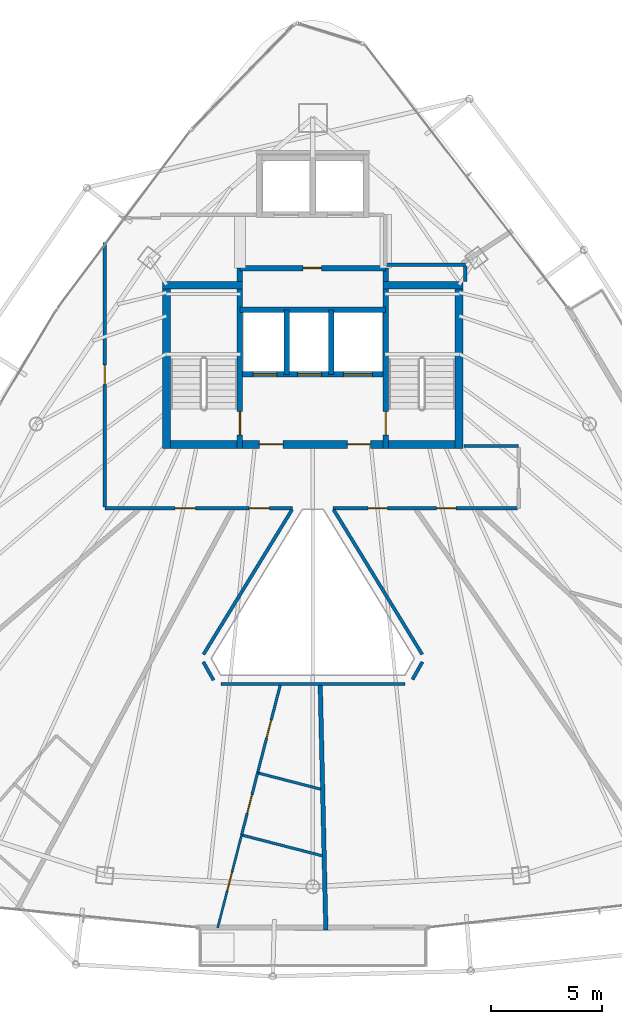
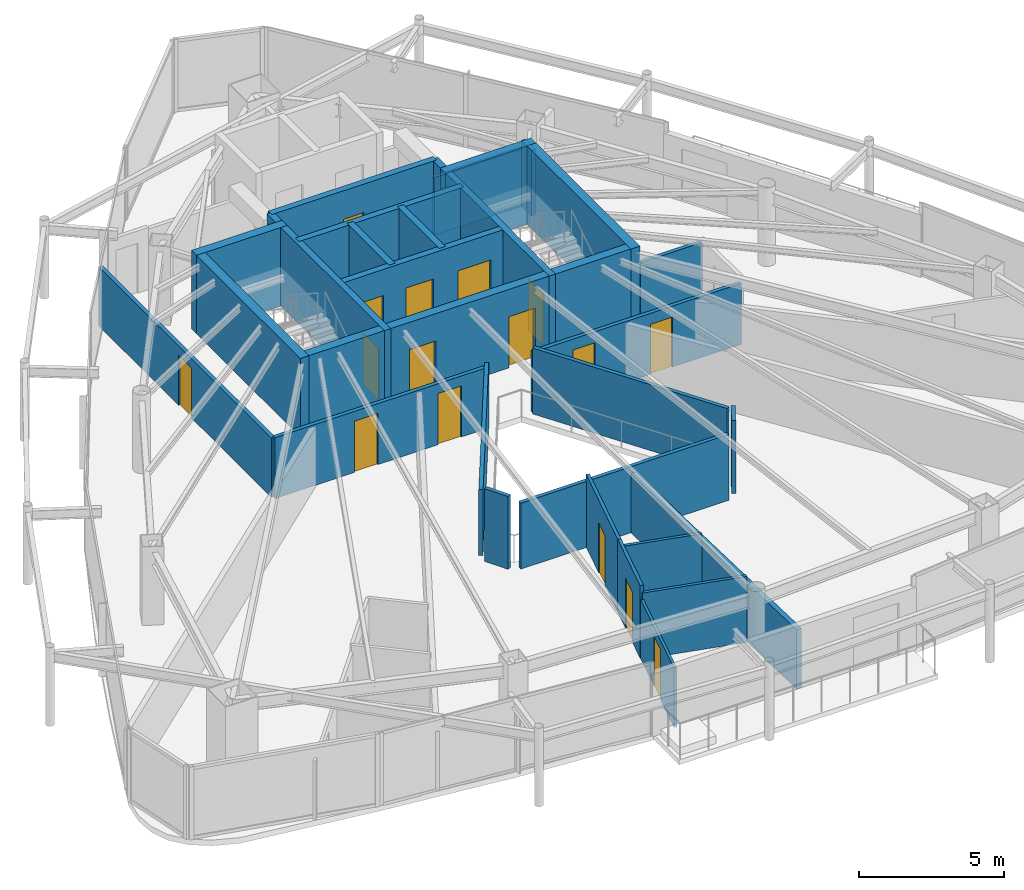
# One storey, part 26 of 30: 29 walls, 16 doors, 16 openings.
"""IFC4 building model written with IfcOpenShell, lengths in metres."""

import ifcopenshell
import ifcopenshell.guid

model = None  # the IFC model being written
_history = None  # IfcOwnerHistory: only IFC2X3 demands one
_inside = {}  # id of a spatial element -> (the spatial element, [elements in it])
_under = {}  # id of a project, library or spatial element -> (it, [spatial elements below it])
_declared = {}  # id of a project -> (the project, [libraries it declares])
_typed = {}  # id of a type object -> (the type object, [elements of that type])
_made_of = {}  # id of a material, layer set ... -> (it, [elements and type objects made of it])


def new_model(schema):
    """Start an empty IFC model of exactly this schema.

    Asked for "IFC4X3", IfcOpenShell would pick the latest addendum, in which some entities
    have other attributes; the version numbers below select the first issue.
    IFC2X3 requires an IfcOwnerHistory on every rooted entity: one is made here for all.
    """
    global model, _history
    if schema == "IFC4X3":
        model = ifcopenshell.file(schema_version=(4, 3, 0, 0))
    else:
        model = ifcopenshell.file(schema=schema)
    _inside.clear()
    _under.clear()
    _declared.clear()
    _typed.clear()
    _made_of.clear()
    _history = None
    if model.schema == "IFC2X3":
        org = make("IfcOrganization", Name="unknown")
        user = make(
            "IfcPersonAndOrganization",
            ThePerson=make("IfcPerson", FamilyName="unknown"),
            TheOrganization=org,
        )
        app = make(
            "IfcApplication",
            ApplicationDeveloper=org,
            Version="unknown",
            ApplicationFullName="unknown",
            ApplicationIdentifier="unknown",
        )
        _history = make(
            "IfcOwnerHistory",
            OwningUser=user,
            OwningApplication=app,
            ChangeAction="ADDED",
            CreationDate=0,
        )
    return model


def make(cls, **values):
    """One entity of the class cls with the attributes given. An attribute that is None is left unset."""
    return model.create_entity(
        cls, **{name: value for name, value in values.items() if value is not None}
    )


def rooted(cls, **values):
    """An entity with a GlobalId (a new one), such as an element, a storey or a relation."""
    return make(cls, GlobalId=ifcopenshell.guid.new(), OwnerHistory=_history, **values)


def si_unit(unit_type, name, prefix=None):
    """IfcSIUnit, for example si_unit("LENGTHUNIT", "METRE", prefix="MILLI")."""
    return make("IfcSIUnit", UnitType=unit_type, Prefix=prefix, Name=name)


def assignment(units):
    """IfcUnitAssignment: the units of a project."""
    return None if units is None else make("IfcUnitAssignment", Units=units)


def point(xyz):
    """IfcCartesianPoint."""
    return None if xyz is None else make("IfcCartesianPoint", Coordinates=xyz)


def direction(xyz):
    """IfcDirection."""
    return None if xyz is None else make("IfcDirection", DirectionRatios=xyz)


def frame(location, z_axis=None, x_axis=None):
    """IfcAxis2Placement3D, a coordinate frame: its origin and axes. An axis left out is left unset."""
    return make(
        "IfcAxis2Placement3D",
        Location=point(location),
        Axis=direction(z_axis),
        RefDirection=direction(x_axis),
    )


def frame_2d(location, x_axis=None):
    """IfcAxis2Placement2D, a coordinate frame in the plane: its origin and x axis."""
    return make(
        "IfcAxis2Placement2D", Location=point(location), RefDirection=direction(x_axis)
    )


def origin():
    """The frame at (0, 0, 0) with its axes left unset."""
    return frame((0.0, 0.0, 0.0))


def place(relative_to, where):
    """IfcLocalPlacement: puts the frame where relative to a parent placement (None: the world)."""
    return make(
        "IfcLocalPlacement", PlacementRelTo=relative_to, RelativePlacement=where
    )


def context(
    kind, dimensions, precision=None, world=None, true_north=None, identifier=None
):
    """IfcGeometricRepresentationContext, for example the 3D "Model" context."""
    return make(
        "IfcGeometricRepresentationContext",
        ContextIdentifier=identifier,
        ContextType=kind,
        CoordinateSpaceDimension=dimensions,
        Precision=precision,
        WorldCoordinateSystem=world,
        TrueNorth=true_north,
    )


def subcontext(parent, identifier, kind, view, scale=None):
    """IfcGeometricRepresentationSubContext, for example "Body" below "Model"."""
    return make(
        "IfcGeometricRepresentationSubContext",
        ContextIdentifier=identifier,
        ContextType=kind,
        ParentContext=parent,
        TargetScale=scale,
        TargetView=view,
    )


def project(units=None, contexts=None):
    """IfcProject with its units and contexts."""
    return rooted(
        "IfcProject",
        Name="project",
        RepresentationContexts=contexts,
        UnitsInContext=assignment(units),
    )


def spatial(cls, under=None, at=None, **own):
    """A site, building, storey or space (cls), placed at a placement, below another one or the project."""
    s = rooted(cls, ObjectPlacement=at, **own)
    if under is not None:
        _under.setdefault(under.id(), (under, []))[1].append(s)
    return s


def profile(cls, at=None, kind="AREA", **sizes):
    """A parametric profile (cls). Its sizes go by their IFC names, for example OverallWidth=200.0."""
    return make(cls, ProfileType=kind, Position=at, **sizes)


def rectangle(**sizes):
    """IfcRectangleProfileDef."""
    return profile("IfcRectangleProfileDef", **sizes)


def extrude(swept, where, along, depth):
    """IfcExtrudedAreaSolid: the profile swept, set in the frame where, extruded along a direction by depth."""
    return make(
        "IfcExtrudedAreaSolid",
        SweptArea=swept,
        Position=where,
        ExtrudedDirection=direction(along),
        Depth=depth,
    )


def shape(context_of_items, identifier, shape_type, items):
    """IfcShapeRepresentation: the items that make up one representation, for example the "Body"."""
    return make(
        "IfcShapeRepresentation",
        ContextOfItems=context_of_items,
        RepresentationIdentifier=identifier,
        RepresentationType=shape_type,
        Items=items,
    )


def material(Name=None, Category=None):
    """IfcMaterial."""
    return make("IfcMaterial", Name=Name, Category=Category)


def layer(
    of_material, thickness, ventilated=None, Name=None, Category=None, Priority=None
):
    """IfcMaterialLayer: one layer of a wall or slab, of a material (None: an air gap)."""
    return make(
        "IfcMaterialLayer",
        Material=of_material,
        LayerThickness=thickness,
        IsVentilated=ventilated,
        Name=Name,
        Category=Category,
        Priority=Priority,
    )


def layer_set(layers, Name=None):
    """IfcMaterialLayerSet."""
    return make("IfcMaterialLayerSet", MaterialLayers=layers, LayerSetName=Name)


def made_of(thing, what):
    """Note that an element or type object is made of a material, layer set ...; save() writes the relation."""
    if what is not None:
        _made_of.setdefault(what.id(), (what, []))[1].append(thing)
    return thing


def type_object(cls, material=None, **own):
    """A type object (cls), such as IfcWallType, which elements share."""
    return made_of(rooted(cls, **own), material)


def element(
    cls,
    number,
    at=None,
    inside=None,
    cuts=None,
    type_object=None,
    material=None,
    context=None,
    identifier="Body",
    shape_type=None,
    held_by="IfcProductDefinitionShape",
    body=None,
    shapes=None,
    **own,
):
    """One element of the class cls, such as IfcWall. Its Tag is "e" and its number.

    at: its placement. inside: the storey or other place that contains it. cuts: it is an
    opening in that element (IfcRelVoidsElement). A single representation is given by context,
    identifier, shape_type and body (its items); several are given by shapes. held_by: the class
    of the entity that holds the representations. save() writes the other relations.
    """
    e = rooted(cls, Tag="e%d" % number, ObjectPlacement=at, **own)
    if body is not None:
        shapes = [shape(context, identifier, shape_type, body)]
    if shapes is not None:
        e.Representation = make(held_by, Representations=shapes)
    if inside is not None:
        _inside.setdefault(inside.id(), (inside, []))[1].append(e)
    if cuts is not None:
        rooted(
            "IfcRelVoidsElement", RelatingBuildingElement=cuts, RelatedOpeningElement=e
        )
    if type_object is not None:
        _typed.setdefault(type_object.id(), (type_object, []))[1].append(e)
    return made_of(e, material)


def fill(opening, filler):
    """IfcRelFillsElement: the door or window that sits in an opening."""
    return rooted(
        "IfcRelFillsElement",
        RelatingOpeningElement=opening,
        RelatedBuildingElement=filler,
    )


def aggregate(whole, parts):
    """IfcRelAggregates: a whole, such as a stair, and the parts it consists of."""
    return rooted("IfcRelAggregates", RelatingObject=whole, RelatedObjects=parts)


def save(model, path):
    """Write the relations noted so far, then the file.

    IfcRelAggregates (storeys below a building ...), IfcRelContainedInSpatialStructure (elements
    in a storey), IfcRelDefinesByType, IfcRelAssociatesMaterial and IfcRelDeclares: one each for
    every whole, place, type object, material and project.
    """
    for whole, parts in _under.values():
        aggregate(whole, parts)
    for where, things in _inside.values():
        rooted(
            "IfcRelContainedInSpatialStructure",
            RelatedElements=things,
            RelatingStructure=where,
        )
    for kind, things in _typed.values():
        rooted("IfcRelDefinesByType", RelatedObjects=things, RelatingType=kind)
    for what, things in _made_of.values():
        rooted("IfcRelAssociatesMaterial", RelatedObjects=things, RelatingMaterial=what)
    for by, libraries in _declared.values():
        rooted("IfcRelDeclares", RelatingContext=by, RelatedDefinitions=libraries)
    model.write(path)


model = new_model("IFC4")

# Units and contexts
model_context = context("Model", 3, precision=1e-05, world=origin(), true_north=direction((0.0, 1.0)))
body_context = subcontext(model_context, "Body", "Model", "MODEL_VIEW")
ifc_project = project(units=[si_unit("LENGTHUNIT", "METRE"), si_unit("AREAUNIT", "SQUARE_METRE"), si_unit("VOLUMEUNIT", "CUBIC_METRE"), si_unit("PLANEANGLEUNIT", "RADIAN"), si_unit("MASSUNIT", "GRAM", prefix="KILO")], contexts=[model_context])

# Site, building, storey
site_placement = place(None, origin())
site = spatial("IfcSite", under=ifc_project, at=site_placement, CompositionType="ELEMENT")
building_placement = place(site_placement, origin())
building = spatial("IfcBuilding", under=site, at=building_placement, Name="Orvanel Arch Residences", CompositionType="ELEMENT")
storey_placement = place(building_placement, frame((0.0, 0.0, 226.10009765625)))
storey = spatial("IfcBuildingStorey", under=building, at=storey_placement, Name="L64", CompositionType="ELEMENT", Elevation=226.10009765625)

# Wall, opening, door
ifc_material_1 = material(Name="Concrete N50 (50 MPa)", Category="concrete")
ifc_layer_1 = layer(ifc_material_1, 0.25)
ifc_layer_set_1 = layer_set([ifc_layer_1], Name="Concrete N50 (50 MPa)")
wall_type_1 = type_object("IfcWallType", Name="SW-CORE-250", PredefinedType="SHEAR", material=ifc_layer_set_1)
wall_1_placement = place(storey_placement, frame((29.72509765625, 26.550048828125, 0.0), z_axis=(0.0, 0.0, 1.0), x_axis=(0.0, 1.0, 0.0)))
wall_1 = element("IfcWall", 1, at=wall_1_placement, inside=storey, type_object=wall_type_1, Name="L64 West Inner Core Spine Shear Wall", PredefinedType="SHEAR", context=body_context, shape_type="SweptSolid", body=[
    extrude(rectangle(XDim=8.099853515625, YDim=0.25, at=frame_2d((4.0498046875, 0.0))), origin(), (0.0, 0.0, 1.0), 3.2998046875),
])
opening_1_placement = place(wall_1_placement, frame((0.60009765625, 0.0, 0.0)))
opening_1 = element("IfcOpeningElement", 2, at=opening_1_placement, cuts=wall_1, Name="Opening DF-120", PredefinedType="OPENING", context=body_context, shape_type="SweptSolid", body=[
    extrude(rectangle(XDim=1.050048828125, YDim=2.14990234375, at=frame_2d((0.52490234375, 1.074951171875))), frame((0.0, 0.135009765625, 0.0), z_axis=(0.0, -1.0, 0.0), x_axis=(1.0, 0.0, 0.0)), (0.0, 0.0, 1.0), 0.27001953125),
])
ifc_material_2 = material(Name="Galvanised steel fire-resisting door assembly", Category="steel")
door_type_1 = type_object("IfcDoorType", Name="DR-FD120-1050", OperationType="NOTDEFINED", PredefinedType="DOOR", material=ifc_material_2)
door_1_placement = place(opening_1_placement, origin())
door_1 = element("IfcDoor", 3, at=door_1_placement, inside=storey, type_object=door_type_1, Name="DR-L64-ST1 L64 Stair 1 Fire Door", OperationType="SINGLE_SWING_LEFT", OverallHeight=2.14990234375, OverallWidth=1.050048828125, PredefinedType="DOOR", context=body_context, shape_type="SweptSolid", body=[
    extrude(rectangle(XDim=1.050048828125, YDim=2.14990234375, at=frame_2d((0.52490234375, 1.074951171875))), frame((0.0, 0.02490234375, 0.0), z_axis=(0.0, -1.0, 0.0), x_axis=(1.0, 0.0, 0.0)), (0.0, 0.0, 1.0), 0.050048828125),
])
fill(opening_1, door_1)

wall_2_placement = place(storey_placement, frame((36.27490234375, 26.550048828125, 0.0), z_axis=(0.0, 0.0, 1.0), x_axis=(0.0, 1.0, 0.0)))
wall_2 = element("IfcWall", 4, at=wall_2_placement, inside=storey, type_object=wall_type_1, Name="L64 East Inner Core Spine Shear Wall", PredefinedType="SHEAR", context=body_context, shape_type="SweptSolid", body=[
    extrude(rectangle(XDim=8.099853515625, YDim=0.25, at=frame_2d((4.0498046875, 0.0))), origin(), (0.0, 0.0, 1.0), 3.2998046875),
])
opening_2_placement = place(wall_2_placement, frame((0.60009765625, 0.0, 0.0)))
opening_2 = element("IfcOpeningElement", 5, at=opening_2_placement, cuts=wall_2, Name="Opening DF-120", PredefinedType="OPENING", context=body_context, shape_type="SweptSolid", body=[
    extrude(rectangle(XDim=1.050048828125, YDim=2.14990234375, at=frame_2d((0.52490234375, 1.074951171875))), frame((0.0, 0.135009765625, 0.0), z_axis=(0.0, -1.0, 0.0), x_axis=(1.0, 0.0, 0.0)), (0.0, 0.0, 1.0), 0.27001953125),
])
door_2_placement = place(opening_2_placement, origin())
door_2 = element("IfcDoor", 6, at=door_2_placement, inside=storey, type_object=door_type_1, Name="DR-L64-ST2 L64 Stair 2 Fire Door", OperationType="SINGLE_SWING_RIGHT", OverallHeight=2.14990234375, OverallWidth=1.050048828125, PredefinedType="DOOR", context=body_context, shape_type="SweptSolid", body=[
    extrude(rectangle(XDim=1.050048828125, YDim=2.14990234375, at=frame_2d((0.52490234375, 1.074951171875))), frame((0.0, 0.02490234375, 0.0), z_axis=(0.0, -1.0, 0.0), x_axis=(1.0, 0.0, 0.0)), (0.0, 0.0, 1.0), 0.050048828125),
])
fill(opening_2, door_2)

# Wall, openings, doors
wall_3_placement = place(storey_placement, frame((36.27490234375, 29.875, 0.0), z_axis=(0.0, 0.0, 1.0), x_axis=(-1.0, 0.0, 0.0)))
wall_3 = element("IfcWall", 7, at=wall_3_placement, inside=storey, type_object=wall_type_1, Name="L64 Emergency Lift Front Core Shear Wall", PredefinedType="SHEAR", context=body_context, shape_type="SweptSolid", body=[
    extrude(rectangle(XDim=6.5498046875, YDim=0.25, at=frame_2d((3.27490234375, 0.0))), origin(), (0.0, 0.0, 1.0), 3.2998046875),
])
opening_3_placement = place(wall_3_placement, frame((4.875, 0.0, 0.0)))
opening_3 = element("IfcOpeningElement", 8, at=opening_3_placement, cuts=wall_3, Name="Opening LD-110", PredefinedType="OPENING", context=body_context, shape_type="SweptSolid", body=[
    extrude(rectangle(XDim=1.10009765625, YDim=2.199951171875, at=frame_2d((0.550048828125, 1.10009765625))), frame((0.0, 0.135009765625, 0.0), z_axis=(0.0, -1.0, 0.0), x_axis=(1.0, 0.0, 0.0)), (0.0, 0.0, 1.0), 0.27001953125),
])
opening_4_placement = place(wall_3_placement, frame((2.875, 0.0, 0.0)))
opening_4 = element("IfcOpeningElement", 9, at=opening_4_placement, cuts=wall_3, Name="Opening LD-110", PredefinedType="OPENING", context=body_context, shape_type="SweptSolid", body=[
    extrude(rectangle(XDim=1.10009765625, YDim=2.199951171875, at=frame_2d((0.550048828125, 1.10009765625))), frame((0.0, 0.135009765625, 0.0), z_axis=(0.0, -1.0, 0.0), x_axis=(1.0, 0.0, 0.0)), (0.0, 0.0, 1.0), 0.27001953125),
])
opening_5_placement = place(wall_3_placement, frame((0.60009765625, 0.0, 0.0)))
opening_5 = element("IfcOpeningElement", 10, at=opening_5_placement, cuts=wall_3, Name="Opening LD-130", PredefinedType="OPENING", context=body_context, shape_type="SweptSolid", body=[
    extrude(rectangle(XDim=1.300048828125, YDim=2.199951171875, at=frame_2d((0.64990234375, 1.10009765625))), frame((0.0, 0.135009765625, 0.0), z_axis=(0.0, -1.0, 0.0), x_axis=(1.0, 0.0, 0.0)), (0.0, 0.0, 1.0), 0.27001953125),
])
door_type_2 = type_object("IfcDoorType", Name="DR-LFT-1100", OperationType="NOTDEFINED", PredefinedType="DOOR", material=ifc_material_2)
door_3_placement = place(opening_3_placement, origin())
door_3 = element("IfcDoor", 11, at=door_3_placement, inside=storey, type_object=door_type_2, Name="LD-F1-L64 L64 Lift F1 Sliding Landing Door", OperationType="DOUBLE_DOOR_SLIDING", OverallHeight=2.199951171875, OverallWidth=1.10009765625, PredefinedType="DOOR", context=body_context, shape_type="SweptSolid", body=[
    extrude(rectangle(XDim=1.10009765625, YDim=2.199951171875, at=frame_2d((0.550048828125, 1.10009765625))), frame((0.0, 0.02490234375, 0.0), z_axis=(0.0, -1.0, 0.0), x_axis=(1.0, 0.0, 0.0)), (0.0, 0.0, 1.0), 0.050048828125),
])
fill(opening_3, door_3)
door_4_placement = place(opening_4_placement, origin())
door_4 = element("IfcDoor", 12, at=door_4_placement, inside=storey, type_object=door_type_2, Name="LD-F2-L64 L64 Lift F2 Sliding Landing Door", OperationType="DOUBLE_DOOR_SLIDING", OverallHeight=2.199951171875, OverallWidth=1.10009765625, PredefinedType="DOOR", context=body_context, shape_type="SweptSolid", body=[
    extrude(rectangle(XDim=1.10009765625, YDim=2.199951171875, at=frame_2d((0.550048828125, 1.10009765625))), frame((0.0, 0.02490234375, 0.0), z_axis=(0.0, -1.0, 0.0), x_axis=(1.0, 0.0, 0.0)), (0.0, 0.0, 1.0), 0.050048828125),
])
fill(opening_4, door_4)
door_type_3 = type_object("IfcDoorType", Name="DR-LFT-1300", OperationType="NOTDEFINED", PredefinedType="DOOR", material=ifc_material_2)
door_5_placement = place(opening_5_placement, origin())
door_5 = element("IfcDoor", 13, at=door_5_placement, inside=storey, type_object=door_type_3, Name="LD-G1-L64 L64 Lift G1 Sliding Landing Door", OperationType="DOUBLE_DOOR_SLIDING", OverallHeight=2.199951171875, OverallWidth=1.300048828125, PredefinedType="DOOR", context=body_context, shape_type="SweptSolid", body=[
    extrude(rectangle(XDim=1.300048828125, YDim=2.199951171875, at=frame_2d((0.64990234375, 1.10009765625))), frame((0.0, 0.02490234375, 0.0), z_axis=(0.0, -1.0, 0.0), x_axis=(1.0, 0.0, 0.0)), (0.0, 0.0, 1.0), 0.050048828125),
])
fill(opening_5, door_5)

# Walls
wall_4_placement = place(storey_placement, frame((29.72509765625, 32.77490234375, 0.0), z_axis=(0.0, 0.0, 1.0), x_axis=(1.0, 0.0, 0.0)))
element("IfcWall", 14, at=wall_4_placement, inside=storey, type_object=wall_type_1, Name="L64 Emergency Lift Back Core Shear Wall", PredefinedType="SHEAR", context=body_context, shape_type="SweptSolid", body=[
    extrude(rectangle(XDim=6.5498046875, YDim=0.25, at=frame_2d((3.27490234375, 0.0))), origin(), (0.0, 0.0, 1.0), 3.2998046875),
])
for number, where, z_axis, x_axis, name in (
    (15, (31.824951171875, 29.875, 0.0), (0.0, 0.0, 1.0), (0.0, 1.0, 0.0), "L64 Emergency Lift Inter-Shaft Wall F12"),
    (16, (33.824951171875, 29.875, 0.0), (0.0, 0.0, 1.0), (0.0, 1.0, 0.0), "L64 Emergency Lift Inter-Shaft Wall F2G"),
):
    element("IfcWall", number, at=place(storey_placement, frame(where, z_axis=z_axis, x_axis=x_axis)), inside=storey, type_object=wall_type_1, Name=name, PredefinedType="SHEAR", context=body_context, shape_type="SweptSolid", body=[
        extrude(rectangle(XDim=2.89990234375, YDim=0.25, at=frame_2d((1.449951171875, 0.0))), origin(), (0.0, 0.0, 1.0), 3.2998046875),
    ])

# Wall, opening, door
wall_5_placement = place(storey_placement, frame((29.72509765625, 34.64990234375, 0.0), z_axis=(0.0, 0.0, 1.0), x_axis=(1.0, 0.0, 0.0)))
wall_5 = element("IfcWall", 17, at=wall_5_placement, inside=storey, type_object=wall_type_1, Name="L64 Core Service Band North Shear Wall", PredefinedType="SHEAR", context=body_context, shape_type="SweptSolid", body=[
    extrude(rectangle(XDim=6.5498046875, YDim=0.25, at=frame_2d((3.27490234375, 0.0))), origin(), (0.0, 0.0, 1.0), 3.2998046875),
])
opening_6_placement = place(wall_5_placement, frame((2.840087890625, 0.0, 0.0)))
opening_6 = element("IfcOpeningElement", 18, at=opening_6_placement, cuts=wall_5, Name="Opening DS-082", PredefinedType="OPENING", context=body_context, shape_type="SweptSolid", body=[
    extrude(rectangle(XDim=0.820068359375, YDim=2.10009765625, at=frame_2d((0.41015625, 1.050048828125))), frame((0.0, 0.135009765625, 0.0), z_axis=(0.0, -1.0, 0.0), x_axis=(1.0, 0.0, 0.0)), (0.0, 0.0, 1.0), 0.27001953125),
])
door_type_4 = type_object("IfcDoorType", Name="DR-SVC-820", OperationType="NOTDEFINED", PredefinedType="DOOR", material=ifc_material_2)
door_6_placement = place(opening_6_placement, origin())
door_6 = element("IfcDoor", 19, at=door_6_placement, inside=storey, type_object=door_type_4, Name="DR-L64-CSVC-1 L64 Housekeeping Linen Store Door", OperationType="SINGLE_SWING_LEFT", OverallHeight=2.10009765625, OverallWidth=0.820068359375, PredefinedType="DOOR", context=body_context, shape_type="SweptSolid", body=[
    extrude(rectangle(XDim=0.820068359375, YDim=2.10009765625, at=frame_2d((0.41015625, 1.050048828125))), frame((0.0, 0.02490234375, 0.0), z_axis=(0.0, -1.0, 0.0), x_axis=(1.0, 0.0, 0.0)), (0.0, 0.0, 1.0), 0.050048828125),
])
fill(opening_6, door_6)

# Wall, openings, doors
ifc_layer_2 = layer(ifc_material_1, 0.35009765625)
ifc_layer_set_2 = layer_set([ifc_layer_2], Name="Concrete N50 (50 MPa)")
wall_type_2 = type_object("IfcWallType", Name="SW-CORE-350", PredefinedType="SHEAR", material=ifc_layer_set_2)
wall_6_placement = place(storey_placement, frame((26.25, 26.72509765625, 0.0), z_axis=(0.0, 0.0, 1.0), x_axis=(1.0, 0.0, 0.0)))
wall_6 = element("IfcWall", 20, at=wall_6_placement, inside=storey, type_object=wall_type_2, Name="L64 South Core Shear Wall", PredefinedType="SHEAR", context=body_context, shape_type="SweptSolid", body=[
    extrude(rectangle(XDim=13.5, YDim=0.35009765625, at=frame_2d((6.75, 0.0))), origin(), (0.0, 0.0, 1.0), 3.2998046875),
])
opening_7_placement = place(wall_6_placement, frame((4.35009765625, 0.0, 0.0)))
opening_7 = element("IfcOpeningElement", 21, at=opening_7_placement, cuts=wall_6, Name="Opening DF-060", PredefinedType="OPENING", context=body_context, shape_type="SweptSolid", body=[
    extrude(rectangle(XDim=1.050048828125, YDim=2.14990234375, at=frame_2d((0.52490234375, 1.074951171875))), frame((0.0, 0.18505859375, 0.0), z_axis=(0.0, -1.0, 0.0), x_axis=(1.0, 0.0, 0.0)), (0.0, 0.0, 1.0), 0.3701171875),
])
opening_8_placement = place(wall_6_placement, frame((8.300048828125, 0.0, 0.0)))
opening_8 = element("IfcOpeningElement", 22, at=opening_8_placement, cuts=wall_6, Name="Opening DF-060", PredefinedType="OPENING", context=body_context, shape_type="SweptSolid", body=[
    extrude(rectangle(XDim=1.050048828125, YDim=2.14990234375, at=frame_2d((0.52490234375, 1.074951171875))), frame((0.0, 0.18505859375, 0.0), z_axis=(0.0, -1.0, 0.0), x_axis=(1.0, 0.0, 0.0)), (0.0, 0.0, 1.0), 0.3701171875),
])
door_type_5 = type_object("IfcDoorType", Name="DR-FD60-1050", OperationType="NOTDEFINED", PredefinedType="DOOR", material=ifc_material_2)
door_7_placement = place(opening_7_placement, origin())
door_7 = element("IfcDoor", 23, at=door_7_placement, inside=storey, type_object=door_type_5, Name="DR-L64-FFL-W L64 West Smoke Lobby Door", OperationType="SINGLE_SWING_LEFT", OverallHeight=2.14990234375, OverallWidth=1.050048828125, PredefinedType="DOOR", context=body_context, shape_type="SweptSolid", body=[
    extrude(rectangle(XDim=1.050048828125, YDim=2.14990234375, at=frame_2d((0.52490234375, 1.074951171875))), frame((0.0, 0.02490234375, 0.0), z_axis=(0.0, -1.0, 0.0), x_axis=(1.0, 0.0, 0.0)), (0.0, 0.0, 1.0), 0.050048828125),
])
fill(opening_7, door_7)
door_8_placement = place(opening_8_placement, origin())
door_8 = element("IfcDoor", 24, at=door_8_placement, inside=storey, type_object=door_type_5, Name="DR-L64-FFL-E L64 East Smoke Lobby Door", OperationType="SINGLE_SWING_RIGHT", OverallHeight=2.14990234375, OverallWidth=1.050048828125, PredefinedType="DOOR", context=body_context, shape_type="SweptSolid", body=[
    extrude(rectangle(XDim=1.050048828125, YDim=2.14990234375, at=frame_2d((0.52490234375, 1.074951171875))), frame((0.0, 0.02490234375, 0.0), z_axis=(0.0, -1.0, 0.0), x_axis=(1.0, 0.0, 0.0)), (0.0, 0.0, 1.0), 0.050048828125),
])
fill(opening_8, door_8)

# Walls
wall_7_placement = place(storey_placement, frame((26.425048828125, 26.550048828125, 0.0), z_axis=(0.0, 0.0, 1.0), x_axis=(0.0, 1.0, 0.0)))
element("IfcWall", 25, at=wall_7_placement, inside=storey, type_object=wall_type_2, Name="L64 West Stair Shear Wall", PredefinedType="SHEAR", context=body_context, shape_type="SweptSolid", body=[
    extrude(rectangle(XDim=7.5, YDim=0.35009765625, at=frame_2d((3.75, 0.0))), origin(), (0.0, 0.0, 1.0), 3.2998046875),
])
wall_8_placement = place(storey_placement, frame((26.25, 33.875, 0.0), z_axis=(0.0, 0.0, 1.0), x_axis=(1.0, 0.0, 0.0)))
element("IfcWall", 26, at=wall_8_placement, inside=storey, type_object=wall_type_2, Name="L64 West Stair North Shear Wall", PredefinedType="SHEAR", context=body_context, shape_type="SweptSolid", body=[
    extrude(rectangle(XDim=3.60009765625, YDim=0.35009765625, at=frame_2d((1.800048828125, 0.0))), origin(), (0.0, 0.0, 1.0), 3.2998046875),
])
wall_9_placement = place(storey_placement, frame((39.574951171875, 26.550048828125, 0.0), z_axis=(0.0, 0.0, 1.0), x_axis=(0.0, 1.0, 0.0)))
element("IfcWall", 27, at=wall_9_placement, inside=storey, type_object=wall_type_2, Name="L64 East Stair Shear Wall", PredefinedType="SHEAR", context=body_context, shape_type="SweptSolid", body=[
    extrude(rectangle(XDim=7.5, YDim=0.35009765625, at=frame_2d((3.75, 0.0))), origin(), (0.0, 0.0, 1.0), 3.2998046875),
])
wall_10_placement = place(storey_placement, frame((36.14990234375, 33.875, 0.0), z_axis=(0.0, 0.0, 1.0), x_axis=(1.0, 0.0, 0.0)))
element("IfcWall", 28, at=wall_10_placement, inside=storey, type_object=wall_type_2, Name="L64 East Stair North Shear Wall", PredefinedType="SHEAR", context=body_context, shape_type="SweptSolid", body=[
    extrude(rectangle(XDim=3.60009765625, YDim=0.35009765625, at=frame_2d((1.800048828125, 0.0))), origin(), (0.0, 0.0, 1.0), 3.2998046875),
])

# Wall, openings, doors
ifc_material_3 = material(Name="Fire-rated plasterboard lined steel stud partition", Category="steel")
ifc_layer_3 = layer(ifc_material_3, 0.14990234375)
ifc_layer_set_3 = layer_set([ifc_layer_3], Name="Fire-rated plasterboard lined steel stud partition")
wall_type_3 = type_object("IfcWallType", Name="W-COR-150", PredefinedType="PARTITIONING", material=ifc_layer_set_3)
wall_11_placement = place(storey_placement, frame((32.095947265625, 23.85009765625, 0.0), z_axis=(0.0, 0.0, 1.0), x_axis=(-1.0, 0.0, 0.0)))
wall_11 = element("IfcWall", 29, at=wall_11_placement, inside=storey, type_object=wall_type_3, Name="L64 Corridor Fire-Rated Partition", PredefinedType="PARTITIONING", context=body_context, shape_type="SweptSolid", body=[
    extrude(rectangle(XDim=8.446044921875, YDim=0.14990234375, at=frame_2d((4.22314453125, 0.0))), origin(), (0.0, 0.0, 1.0), 2.56494140625),
])
opening_9_placement = place(wall_11_placement, frame((4.364990234375, 0.0, 0.0)))
opening_9 = element("IfcOpeningElement", 30, at=opening_9_placement, cuts=wall_11, Name="Opening DA-092", PredefinedType="OPENING", context=body_context, shape_type="SweptSolid", body=[
    extrude(rectangle(XDim=0.919921875, YDim=2.14990234375, at=frame_2d((0.4599609375, 1.074951171875))), frame((0.0, 0.0849609375, 0.0), z_axis=(0.0, -1.0, 0.0), x_axis=(1.0, 0.0, 0.0)), (0.0, 0.0, 1.0), 0.169921875),
])
opening_10_placement = place(wall_11_placement, frame((1.044921875, 0.0, 0.0)))
opening_10 = element("IfcOpeningElement", 31, at=opening_10_placement, cuts=wall_11, Name="Opening DA-092", PredefinedType="OPENING", context=body_context, shape_type="SweptSolid", body=[
    extrude(rectangle(XDim=0.919921875, YDim=2.14990234375, at=frame_2d((0.4599609375, 1.074951171875))), frame((0.0, 0.0849609375, 0.0), z_axis=(0.0, -1.0, 0.0), x_axis=(1.0, 0.0, 0.0)), (0.0, 0.0, 1.0), 0.169921875),
])
ifc_material_4 = material(Name="Solid-core European oak veneer fire door leaf", Category="wood")
door_type_6 = type_object("IfcDoorType", Name="DR-APT-920", OperationType="NOTDEFINED", PredefinedType="DOOR", material=ifc_material_4)
door_9_placement = place(opening_9_placement, origin())
door_9 = element("IfcDoor", 32, at=door_9_placement, inside=storey, type_object=door_type_6, Name="DR-L64-B-ENT L64 Studio B Entrance Door", OperationType="SINGLE_SWING_LEFT", OverallHeight=2.14990234375, OverallWidth=0.919921875, PredefinedType="DOOR", context=body_context, shape_type="SweptSolid", body=[
    extrude(rectangle(XDim=0.919921875, YDim=2.14990234375, at=frame_2d((0.4599609375, 1.074951171875))), frame((0.0, 0.02490234375, 0.0), z_axis=(0.0, -1.0, 0.0), x_axis=(1.0, 0.0, 0.0)), (0.0, 0.0, 1.0), 0.050048828125),
])
fill(opening_9, door_9)
door_10_placement = place(opening_10_placement, origin())
door_10 = element("IfcDoor", 33, at=door_10_placement, inside=storey, type_object=door_type_6, Name="DR-L64-D-ENT L64 Studio D Entrance Door", OperationType="SINGLE_SWING_LEFT", OverallHeight=2.14990234375, OverallWidth=0.919921875, PredefinedType="DOOR", context=body_context, shape_type="SweptSolid", body=[
    extrude(rectangle(XDim=0.919921875, YDim=2.14990234375, at=frame_2d((0.4599609375, 1.074951171875))), frame((0.0, 0.02490234375, 0.0), z_axis=(0.0, -1.0, 0.0), x_axis=(1.0, 0.0, 0.0)), (0.0, 0.0, 1.0), 0.050048828125),
])
fill(opening_10, door_10)

# Wall, opening, door
wall_12_placement = place(storey_placement, frame((23.64990234375, 23.909912109375, 0.0), z_axis=(0.0, 0.0, 1.0), x_axis=(0.0, 1.0, 0.0)))
wall_12 = element("IfcWall", 34, at=wall_12_placement, inside=storey, type_object=wall_type_3, Name="L64 Corridor Fire-Rated Partition", PredefinedType="PARTITIONING", context=body_context, shape_type="SweptSolid", body=[
    extrude(rectangle(XDim=11.88818359375, YDim=0.14990234375, at=frame_2d((5.944091796875, 0.0))), origin(), (0.0, 0.0, 1.0), 2.491943359375),
])
opening_11_placement = place(wall_12_placement, frame((5.50390625, 0.0, 0.0)))
opening_11 = element("IfcOpeningElement", 35, at=opening_11_placement, cuts=wall_12, Name="Opening DI-088", PredefinedType="OPENING", context=body_context, shape_type="SweptSolid", body=[
    extrude(rectangle(XDim=0.8798828125, YDim=2.10009765625, at=frame_2d((0.43994140625, 1.050048828125))), frame((0.0, 0.0849609375, 0.0), z_axis=(0.0, -1.0, 0.0), x_axis=(1.0, 0.0, 0.0)), (0.0, 0.0, 1.0), 0.169921875),
])
door_type_7 = type_object("IfcDoorType", Name="DR-INT-880", OperationType="NOTDEFINED", PredefinedType="DOOR", material=ifc_material_4)
door_11_placement = place(opening_11_placement, origin())
door_11 = element("IfcDoor", 36, at=door_11_placement, inside=storey, type_object=door_type_7, Name="DR-L64-SHRD-FB5 L64 Co-Working Study Office E Door", OperationType="SINGLE_SWING_LEFT", OverallHeight=2.10009765625, OverallWidth=0.8798828125, PredefinedType="DOOR", context=body_context, shape_type="SweptSolid", body=[
    extrude(rectangle(XDim=0.8798828125, YDim=2.10009765625, at=frame_2d((0.43994140625, 1.050048828125))), frame((0.0, 0.02490234375, 0.0), z_axis=(0.0, -1.0, 0.0), x_axis=(1.0, 0.0, 0.0)), (0.0, 0.0, 1.0), 0.050048828125),
])
fill(opening_11, door_11)

# Wall
wall_13_placement = place(storey_placement, frame((39.7900390625, 26.64990234375, 0.0), z_axis=(0.0, 0.0, 1.0), x_axis=(1.0, 0.0, 0.0)))
element("IfcWall", 37, at=wall_13_placement, inside=storey, type_object=wall_type_3, Name="L64 Corridor Fire-Rated Partition", PredefinedType="PARTITIONING", context=body_context, shape_type="SweptSolid", body=[
    extrude(rectangle(XDim=2.4599609375, YDim=0.14990234375, at=frame_2d((1.22998046875, 0.0))), origin(), (0.0, 0.0, 1.0), 2.56494140625),
])

# Wall, openings, doors
wall_14_placement = place(storey_placement, frame((42.18994140625, 23.85009765625, 0.0), z_axis=(0.0, 0.0, 1.0), x_axis=(-1.0, 0.0, 0.0)))
wall_14 = element("IfcWall", 38, at=wall_14_placement, inside=storey, type_object=wall_type_3, Name="L64 Corridor Fire-Rated Partition", PredefinedType="PARTITIONING", context=body_context, shape_type="SweptSolid", body=[
    extrude(rectangle(XDim=8.285888671875, YDim=0.14990234375, at=frame_2d((4.14306640625, 0.0))), origin(), (0.0, 0.0, 1.0), 2.56494140625),
])
opening_12_placement = place(wall_14_placement, frame((5.823974609375, 0.0, 0.0)))
opening_12 = element("IfcOpeningElement", 39, at=opening_12_placement, cuts=wall_14, Name="Opening DI-088", PredefinedType="OPENING", context=body_context, shape_type="SweptSolid", body=[
    extrude(rectangle(XDim=0.8798828125, YDim=2.10009765625, at=frame_2d((0.43994140625, 1.050048828125))), frame((0.0, 0.0849609375, 0.0), z_axis=(0.0, -1.0, 0.0), x_axis=(1.0, 0.0, 0.0)), (0.0, 0.0, 1.0), 0.169921875),
])
opening_13_placement = place(wall_14_placement, frame((2.7451171875, 0.0, 0.0)))
opening_13 = element("IfcOpeningElement", 40, at=opening_13_placement, cuts=wall_14, Name="Opening DI-088", PredefinedType="OPENING", context=body_context, shape_type="SweptSolid", body=[
    extrude(rectangle(XDim=0.8798828125, YDim=2.10009765625, at=frame_2d((0.43994140625, 1.050048828125))), frame((0.0, 0.0849609375, 0.0), z_axis=(0.0, -1.0, 0.0), x_axis=(1.0, 0.0, 0.0)), (0.0, 0.0, 1.0), 0.169921875),
])
door_12_placement = place(opening_12_placement, origin())
door_12 = element("IfcDoor", 41, at=door_12_placement, inside=storey, type_object=door_type_7, Name="DR-L64-SHRD-FB1 L64 Co-Working Study Office A Door", OperationType="SINGLE_SWING_LEFT", OverallHeight=2.10009765625, OverallWidth=0.8798828125, PredefinedType="DOOR", context=body_context, shape_type="SweptSolid", body=[
    extrude(rectangle(XDim=0.8798828125, YDim=2.10009765625, at=frame_2d((0.43994140625, 1.050048828125))), frame((0.0, 0.02490234375, 0.0), z_axis=(0.0, -1.0, 0.0), x_axis=(1.0, 0.0, 0.0)), (0.0, 0.0, 1.0), 0.050048828125),
])
fill(opening_12, door_12)
door_13_placement = place(opening_13_placement, origin())
door_13 = element("IfcDoor", 42, at=door_13_placement, inside=storey, type_object=door_type_7, Name="DR-L64-SHRD-FB6 L64 Co-Working Study Office F Door", OperationType="SINGLE_SWING_LEFT", OverallHeight=2.10009765625, OverallWidth=0.8798828125, PredefinedType="DOOR", context=body_context, shape_type="SweptSolid", body=[
    extrude(rectangle(XDim=0.8798828125, YDim=2.10009765625, at=frame_2d((0.43994140625, 1.050048828125))), frame((0.0, 0.02490234375, 0.0), z_axis=(0.0, -1.0, 0.0), x_axis=(1.0, 0.0, 0.0)), (0.0, 0.0, 1.0), 0.050048828125),
])
fill(opening_13, door_13)

# Walls
wall_15_placement = place(storey_placement, frame((36.31005859375, 34.800048828125, 0.0), z_axis=(0.0, 0.0, 1.0), x_axis=(1.0, 0.0, 0.0)))
element("IfcWall", 43, at=wall_15_placement, inside=storey, type_object=wall_type_3, Name="L64 Core Perimeter Partition", PredefinedType="PARTITIONING", context=body_context, shape_type="SweptSolid", body=[
    extrude(rectangle(XDim=3.5400390625, YDim=0.14990234375, at=frame_2d((1.77001953125, 0.0))), origin(), (0.0, 0.0, 1.0), 2.4248046875),
])
wall_16_placement = place(storey_placement, frame((39.85009765625, 34.739990234375, 0.0), z_axis=(0.0, 0.0, 1.0), x_axis=(0.0, -1.0, 0.0)))
element("IfcWall", 44, at=wall_16_placement, inside=storey, type_object=wall_type_3, Name="L64 Core Perimeter Partition", PredefinedType="PARTITIONING", context=body_context, shape_type="SweptSolid", body=[
    extrude(rectangle(XDim=0.68994140625, YDim=0.14990234375, at=frame_2d((0.344970703125, 0.0))), origin(), (0.0, 0.0, 1.0), 2.77294921875),
])
wall_17_placement = place(storey_placement, frame((33.93505859375, 23.7900390625, 0.0), z_axis=(0.0, 0.0, 1.0), x_axis=(0.521984684225, -0.852954857794, 0.0)))
element("IfcWall", 45, at=wall_17_placement, inside=storey, type_object=wall_type_3, Name="L64 Atrium Overlook Glazed Partition", PredefinedType="PARTITIONING", context=body_context, shape_type="SweptSolid", body=[
    extrude(rectangle(XDim=7.62646484375, YDim=0.14990234375, at=frame_2d((3.813232421875, 0.0))), origin(), (0.0, 0.0, 1.0), 2.77294921875),
])
wall_18_placement = place(storey_placement, frame((37.922119140625, 16.948974609375, 0.0), z_axis=(0.0, 0.0, 1.0), x_axis=(-0.48754316559, -0.873098884255, 0.0)))
element("IfcWall", 46, at=wall_18_placement, inside=storey, type_object=wall_type_3, Name="L64 Atrium Overlook Glazed Partition", PredefinedType="PARTITIONING", context=body_context, shape_type="SweptSolid", body=[
    extrude(rectangle(XDim=0.90478515625, YDim=0.14990234375, at=frame_2d((0.452392578125, 0.0))), origin(), (0.0, 0.0, 1.0), 3.059814453125),
])
wall_19_placement = place(storey_placement, frame((37.132080078125, 15.955078125, 0.0), z_axis=(0.0, 0.0, 1.0), x_axis=(-1.0, 0.0, 0.0)))
element("IfcWall", 47, at=wall_19_placement, inside=storey, type_object=wall_type_3, Name="L64 Atrium Overlook Glazed Partition", PredefinedType="PARTITIONING", context=body_context, shape_type="SweptSolid", body=[
    extrude(rectangle(XDim=8.26416015625, YDim=0.14990234375, at=frame_2d((4.132080078125, 0.0))), origin(), (0.0, 0.0, 1.0), 2.77294921875),
])
wall_20_placement = place(storey_placement, frame((28.5390625, 16.1259765625, 0.0), z_axis=(0.0, 0.0, 1.0), x_axis=(-0.488847636641, 0.87236918111, 0.0)))
element("IfcWall", 48, at=wall_20_placement, inside=storey, type_object=wall_type_3, Name="L64 Atrium Overlook Glazed Partition", PredefinedType="PARTITIONING", context=body_context, shape_type="SweptSolid", body=[
    extrude(rectangle(XDim=0.943359375, YDim=0.14990234375, at=frame_2d((0.4716796875, 0.0))), origin(), (0.0, 0.0, 1.0), 3.059814453125),
])
wall_21_placement = place(storey_placement, frame((28.083984375, 17.284912109375, 0.0), z_axis=(0.0, 0.0, 1.0), x_axis=(0.521984684225, 0.852954857794, 0.0)))
element("IfcWall", 49, at=wall_21_placement, inside=storey, type_object=wall_type_3, Name="L64 Atrium Overlook Glazed Partition", PredefinedType="PARTITIONING", context=body_context, shape_type="SweptSolid", body=[
    extrude(rectangle(XDim=7.62646484375, YDim=0.14990234375, at=frame_2d((3.813232421875, 0.0))), origin(), (0.0, 0.0, 1.0), 2.77294921875),
])
ifc_layer_4 = layer(ifc_material_3, 0.199951171875)
ifc_layer_set_4 = layer_set([ifc_layer_4], Name="Fire-rated plasterboard lined steel stud partition")
wall_type_4 = type_object("IfcWallType", Name="W-DEM-200", PredefinedType="PARTITIONING", material=ifc_layer_set_4)
wall_22_placement = place(storey_placement, frame((33.5849609375, 4.89892578125, 0.0), z_axis=(0.0, 0.0, 1.0), x_axis=(-0.022818213595, 0.999739630668, 0.0)))
element("IfcWall", 50, at=wall_22_placement, inside=storey, type_object=wall_type_4, Name="L64 Inter-Tenancy Acoustic Demising Wall", PredefinedType="PARTITIONING", context=body_context, shape_type="SweptSolid", body=[
    extrude(rectangle(XDim=10.9990234375, YDim=0.199951171875, at=frame_2d((5.49951171875, 0.0))), origin(), (0.0, 0.0, 1.0), 2.491943359375),
])

# Wall, opening, door
ifc_material_5 = material(Name="Acoustic plasterboard lined twin-stud partition", Category="gypsum")
ifc_layer_5 = layer(ifc_material_5, 0.10009765625)
ifc_layer_set_5 = layer_set([ifc_layer_5], Name="Acoustic plasterboard lined twin-stud partition")
wall_type_5 = type_object("IfcWallType", Name="W-INT-100", PredefinedType="PARTITIONING", material=ifc_layer_set_5)
wall_23_placement = place(storey_placement, frame((29.799072265625, 9.1708984375, 0.0), z_axis=(0.0, 0.0, 1.0), x_axis=(-0.249680784234, -0.968328201585, 0.0)))
wall_23 = element("IfcWall", 51, at=wall_23_placement, inside=storey, type_object=wall_type_5, Name="L64 Studio D Internal Partition", PredefinedType="PARTITIONING", context=body_context, shape_type="SweptSolid", body=[
    extrude(rectangle(XDim=4.305419921875, YDim=0.10009765625, at=frame_2d((2.15283203125, 0.0))), origin(), (0.0, 0.0, 1.0), 2.491943359375),
])
opening_14_placement = place(wall_23_placement, frame((1.712890625, 0.0, 0.0)))
opening_14 = element("IfcOpeningElement", 52, at=opening_14_placement, cuts=wall_23, Name="Opening DI-088", PredefinedType="OPENING", context=body_context, shape_type="SweptSolid", body=[
    extrude(rectangle(XDim=0.8798828125, YDim=2.10009765625, at=frame_2d((0.43994140625, 1.050048828125))), frame((0.0, 0.06005859375, 0.0), z_axis=(0.0, -1.0, 0.0), x_axis=(1.0, 0.0, 0.0)), (0.0, 0.0, 1.0), 0.1201171875),
])
door_14_placement = place(opening_14_placement, origin())
door_14 = element("IfcDoor", 53, at=door_14_placement, inside=storey, type_object=door_type_7, Name="DR-L64-D-OFC1 L64 Studio D Home Work Office 2 Door", OperationType="SINGLE_SWING_LEFT", OverallHeight=2.10009765625, OverallWidth=0.8798828125, PredefinedType="DOOR", context=body_context, shape_type="SweptSolid", body=[
    extrude(rectangle(XDim=0.8798828125, YDim=2.10009765625, at=frame_2d((0.43994140625, 1.050048828125))), frame((0.0, 0.02490234375, 0.0), z_axis=(0.0, -1.0, 0.0), x_axis=(1.0, 0.0, 0.0)), (0.0, 0.0, 1.0), 0.050048828125),
])
fill(opening_14, door_14)

ifc_layer_6 = layer(ifc_material_5, 0.1201171875)
ifc_layer_set_6 = layer_set([ifc_layer_6], Name="Acoustic plasterboard lined twin-stud partition")
wall_type_6 = type_object("IfcWallType", Name="W-WET-120", PredefinedType="PARTITIONING", material=ifc_layer_set_6)
wall_24_placement = place(storey_placement, frame((31.531982421875, 15.89501953125, 0.0), z_axis=(0.0, 0.0, 1.0), x_axis=(-0.24968708983, -0.968326575682, 0.0)))
wall_24 = element("IfcWall", 54, at=wall_24_placement, inside=storey, type_object=wall_type_6, Name="L64 Studio D Bathroom Partition", PredefinedType="PARTITIONING", context=body_context, shape_type="SweptSolid", body=[
    extrude(rectangle(XDim=4.060791015625, YDim=0.1201171875, at=frame_2d((2.0302734375, 0.0))), origin(), (0.0, 0.0, 1.0), 3.059814453125),
])
opening_15_placement = place(wall_24_placement, frame((1.6201171875, 0.0, 0.0)))
opening_15 = element("IfcOpeningElement", 55, at=opening_15_placement, cuts=wall_24, Name="Opening DW-082", PredefinedType="OPENING", context=body_context, shape_type="SweptSolid", body=[
    extrude(rectangle(XDim=0.820068359375, YDim=2.10009765625, at=frame_2d((0.41015625, 1.050048828125))), frame((0.0, 0.070068359375, 0.0), z_axis=(0.0, -1.0, 0.0), x_axis=(1.0, 0.0, 0.0)), (0.0, 0.0, 1.0), 0.14013671875),
])
door_type_8 = type_object("IfcDoorType", Name="DR-WET-820", OperationType="NOTDEFINED", PredefinedType="DOOR", material=ifc_material_4)
door_15_placement = place(opening_15_placement, origin())
door_15 = element("IfcDoor", 56, at=door_15_placement, inside=storey, type_object=door_type_8, Name="DR-L64-D-BATH L64 Studio D Bathroom Door", OperationType="SINGLE_SWING_RIGHT", OverallHeight=2.10009765625, OverallWidth=0.820068359375, PredefinedType="DOOR", context=body_context, shape_type="SweptSolid", body=[
    extrude(rectangle(XDim=0.820068359375, YDim=2.10009765625, at=frame_2d((0.41015625, 1.050048828125))), frame((0.0, 0.02490234375, 0.0), z_axis=(0.0, -1.0, 0.0), x_axis=(1.0, 0.0, 0.0)), (0.0, 0.0, 1.0), 0.050048828125),
])
fill(opening_15, door_15)

wall_25_placement = place(storey_placement, frame((30.51806640625, 11.962890625, 0.0), z_axis=(0.0, 0.0, 1.0), x_axis=(-0.249383700926, -0.968404755106, 0.0)))
wall_25 = element("IfcWall", 57, at=wall_25_placement, inside=storey, type_object=wall_type_6, Name="L64 Studio D Internal Partition", PredefinedType="PARTITIONING", context=body_context, shape_type="SweptSolid", body=[
    extrude(rectangle(XDim=2.883056640625, YDim=0.1201171875, at=frame_2d((1.44140625, 0.0))), origin(), (0.0, 0.0, 1.0), 3.059814453125),
])
opening_16_placement = place(wall_25_placement, frame((1.001953125, 0.0, 0.0)))
opening_16 = element("IfcOpeningElement", 58, at=opening_16_placement, cuts=wall_25, Name="Opening DI-088", PredefinedType="OPENING", context=body_context, shape_type="SweptSolid", body=[
    extrude(rectangle(XDim=0.8798828125, YDim=2.10009765625, at=frame_2d((0.43994140625, 1.050048828125))), frame((0.0, 0.070068359375, 0.0), z_axis=(0.0, -1.0, 0.0), x_axis=(1.0, 0.0, 0.0)), (0.0, 0.0, 1.0), 0.14013671875),
])
door_16_placement = place(opening_16_placement, origin())
door_16 = element("IfcDoor", 59, at=door_16_placement, inside=storey, type_object=door_type_7, Name="DR-L64-D-KIT L64 Studio D Kitchenette Door", OperationType="SINGLE_SWING_LEFT", OverallHeight=2.10009765625, OverallWidth=0.8798828125, PredefinedType="DOOR", context=body_context, shape_type="SweptSolid", body=[
    extrude(rectangle(XDim=0.8798828125, YDim=2.10009765625, at=frame_2d((0.43994140625, 1.050048828125))), frame((0.0, 0.02490234375, 0.0), z_axis=(0.0, -1.0, 0.0), x_axis=(1.0, 0.0, 0.0)), (0.0, 0.0, 1.0), 0.050048828125),
])
fill(opening_16, door_16)

# Walls
wall_26_placement = place(storey_placement, frame((33.35498046875, 11.23095703125, 0.0), z_axis=(0.0, 0.0, 1.0), x_axis=(-0.968291630449, 0.249822573846, 0.0)))
element("IfcWall", 60, at=wall_26_placement, inside=storey, type_object=wall_type_6, Name="L64 Studio D Bathroom Partition", PredefinedType="PARTITIONING", context=body_context, shape_type="SweptSolid", body=[
    extrude(rectangle(XDim=2.929931640625, YDim=0.1201171875, at=frame_2d((1.46484375, 0.0))), origin(), (0.0, 0.0, 1.0), 2.77294921875),
])
wall_27_placement = place(storey_placement, frame((33.424072265625, 8.237060546875, 0.0), z_axis=(0.0, 0.0, 1.0), x_axis=(-0.968383623763, 0.249465743595, 0.0)))
element("IfcWall", 61, at=wall_27_placement, inside=storey, type_object=wall_type_6, Name="L64 Studio D Internal Partition", PredefinedType="PARTITIONING", context=body_context, shape_type="SweptSolid", body=[
    extrude(rectangle(XDim=3.743408203125, YDim=0.1201171875, at=frame_2d((1.87158203125, 0.0))), origin(), (0.0, 0.0, 1.0), 2.77294921875),
])

save(model, "model.ifc")
